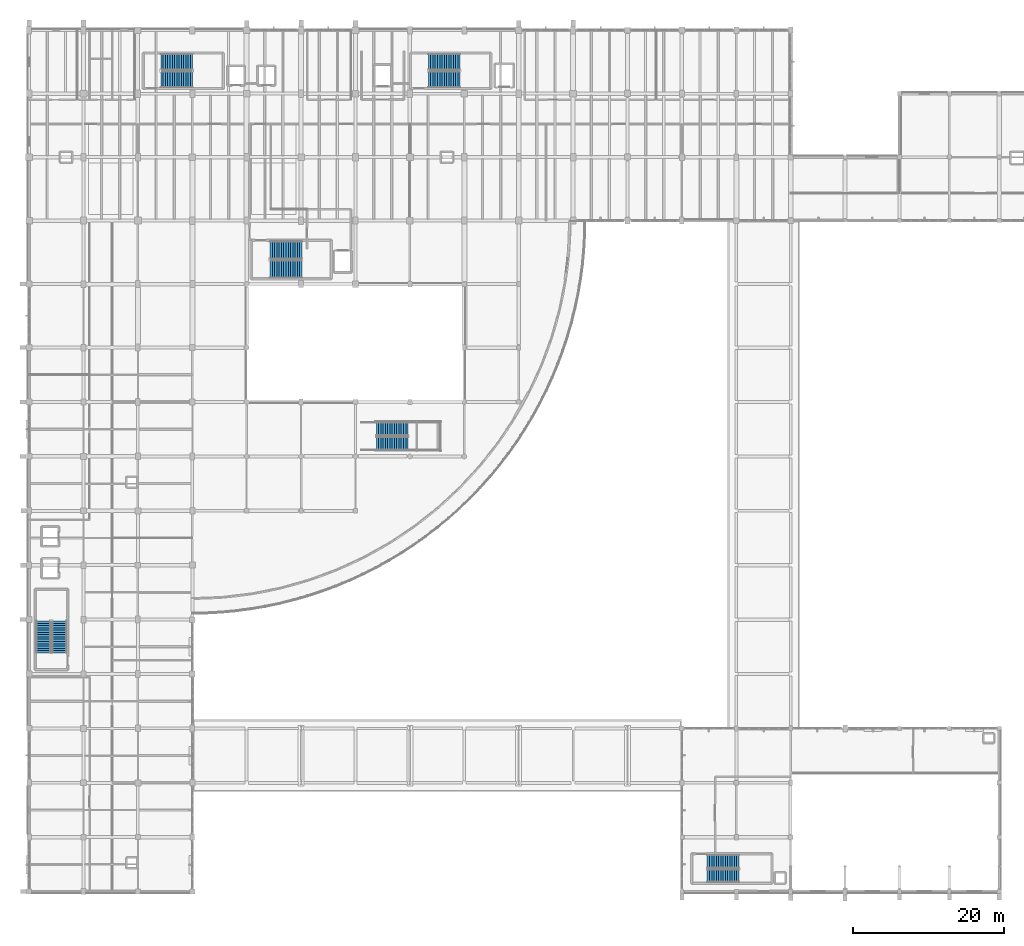
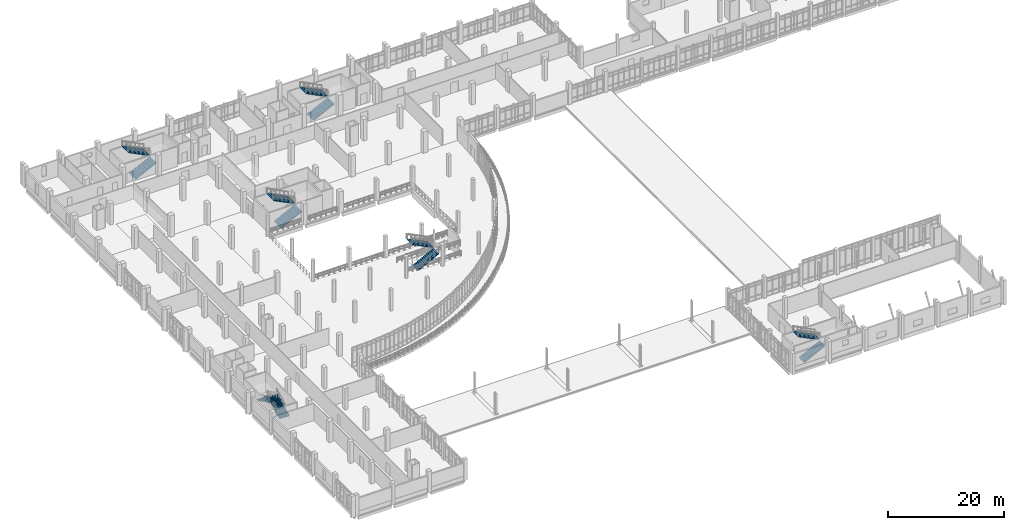
# One storey, part 121 of 134: 12 stair flights, 6 elements without a shape of their own.
"""IFC4 building model written with IfcOpenShell, lengths in metres."""

from ifc_helpers import new_model, si_unit, direction, frame, origin, place, context, subcontext, project, spatial, polyline, outline, extrude, material, type_object, element, aggregate, save


model = new_model("IFC4")

# Units and contexts
model_context = context("Model", 3, precision=1e-05, world=origin(), true_north=direction((0.0, 1.0)))
body_context = subcontext(model_context, "Body", "Model", "MODEL_VIEW")
ifc_project = project(units=[si_unit("LENGTHUNIT", "METRE"), si_unit("AREAUNIT", "SQUARE_METRE"), si_unit("VOLUMEUNIT", "CUBIC_METRE"), si_unit("PLANEANGLEUNIT", "RADIAN"), si_unit("MASSUNIT", "GRAM", prefix="KILO")], contexts=[model_context])

# Site, building, storey
site_placement = place(None, origin())
site = spatial("IfcSite", under=ifc_project, at=site_placement, CompositionType="ELEMENT")
building_placement = place(site_placement, origin())
building = spatial("IfcBuilding", under=site, at=building_placement, Name="Kalluvel Institute of Natural Sciences", CompositionType="ELEMENT")
storey_placement = place(building_placement, frame((0.0, 0.0, 5.39990234375)))
storey = spatial("IfcBuildingStorey", under=building, at=storey_placement, Name="L01", CompositionType="ELEMENT", Elevation=5.39990234375)

# Stair, stair flights
ifc_material = material(Name="Concrete M40", Category="concrete")
stair_type_1 = type_object("IfcStairType", Name="STR-ST12-45", PredefinedType="HALF_TURN_STAIR", material=ifc_material)
stair_1_placement = place(storey_placement, origin())
stair_1 = element("IfcStair", 1, at=stair_1_placement, inside=storey, type_object=stair_type_1, Name="L01 Wet Wing West Protected Exit Stair ST1", PredefinedType="HALF_TURN_STAIR")
stair_flight_type_1 = type_object("IfcStairFlightType", Name="STF-ST12-45", PredefinedType="STRAIGHT", material=ifc_material)
stair_flight_1_placement = place(storey_placement, frame((31.449951171875, 121.47998046875, 0.0), z_axis=(0.0, 0.0, 1.0), x_axis=(1.0, 0.0, 0.0)))
stair_flight_1 = element("IfcStairFlight", 2, at=stair_flight_1_placement, type_object=stair_flight_type_1, Name="S1-45 flight 1", NumberOfRisers=15, NumberOfTreads=14, PredefinedType="STRAIGHT", RiserHeight=0.15, TreadLength=0.3, context=body_context, shape_type="SweptSolid", body=[
    extrude(outline(polyline([(0.0, 0.0), (0.0, 0.14990234375), (0.300048828125, 0.14990234375), (0.300048828125, 0.300048828125), (0.60009765625, 0.300048828125), (0.60009765625, 0.449951171875), (0.89990234375, 0.449951171875), (0.89990234375, 0.60009765625), (1.199951171875, 0.60009765625), (1.199951171875, 0.75), (1.5, 0.75), (1.5, 0.89990234375), (1.800048828125, 0.89990234375), (1.800048828125, 1.050048828125), (2.10009765625, 1.050048828125), (2.10009765625, 1.199951171875), (2.39990234375, 1.199951171875), (2.39990234375, 1.35009765625), (2.699951171875, 1.35009765625), (2.699951171875, 1.5), (3.0, 1.5), (3.0, 1.64990234375), (3.300048828125, 1.64990234375), (3.300048828125, 1.800048828125), (3.60009765625, 1.800048828125), (3.60009765625, 1.949951171875), (3.89990234375, 1.949951171875), (3.89990234375, 2.10009765625), (4.199951171875, 2.10009765625), (4.199951171875, 2.25), (4.199951171875, 1.932373046875), (0.335205078125, 0.0), (0.0, 0.0)])), frame((0.0, 1.080078125, 0.0), z_axis=(0.0, -1.0, 0.0), x_axis=(1.0, 0.0, 0.0)), (0.0, 0.0, 1.0), 2.159912109375),
])
stair_flight_2_placement = place(storey_placement, frame((35.64990234375, 123.7900390625, 2.25), z_axis=(0.0, 0.0, 1.0), x_axis=(-1.0, 0.0, 0.0)))
stair_flight_2 = element("IfcStairFlight", 3, at=stair_flight_2_placement, type_object=stair_flight_type_1, Name="S1-45 flight 2", NumberOfRisers=15, NumberOfTreads=14, PredefinedType="STRAIGHT", RiserHeight=0.15, TreadLength=0.3, context=body_context, shape_type="SweptSolid", body=[
    extrude(outline(polyline([(0.0, 0.0), (0.0, 0.14990234375), (0.300048828125, 0.14990234375), (0.300048828125, 0.300048828125), (0.60009765625, 0.300048828125), (0.60009765625, 0.449951171875), (0.89990234375, 0.449951171875), (0.89990234375, 0.60009765625), (1.199951171875, 0.60009765625), (1.199951171875, 0.75), (1.5, 0.75), (1.5, 0.89990234375), (1.800048828125, 0.89990234375), (1.800048828125, 1.050048828125), (2.10009765625, 1.050048828125), (2.10009765625, 1.199951171875), (2.39990234375, 1.199951171875), (2.39990234375, 1.35009765625), (2.699951171875, 1.35009765625), (2.699951171875, 1.5), (3.0, 1.5), (3.0, 1.64990234375), (3.300048828125, 1.64990234375), (3.300048828125, 1.800048828125), (3.60009765625, 1.800048828125), (3.60009765625, 1.949951171875), (3.89990234375, 1.949951171875), (3.89990234375, 2.10009765625), (4.199951171875, 2.10009765625), (4.199951171875, 2.25), (4.199951171875, 1.932373046875), (0.335205078125, 0.0), (0.0, 0.0)])), frame((0.0, 1.080078125, 0.0), z_axis=(0.0, -1.0, 0.0), x_axis=(1.0, 0.0, 0.0)), (0.0, 0.0, 1.0), 2.159912109375),
])
aggregate(stair_1, [stair_flight_1, stair_flight_2])

stair_2_placement = place(storey_placement, origin())
stair_2 = element("IfcStair", 4, at=stair_2_placement, inside=storey, type_object=stair_type_1, Name="L01 Wet Wing East Protected Exit Stair ST2", PredefinedType="HALF_TURN_STAIR")
stair_flight_3_placement = place(storey_placement, frame((66.85009765625, 121.47998046875, 0.0), z_axis=(0.0, 0.0, 1.0), x_axis=(1.0, 0.0, 0.0)))
stair_flight_3 = element("IfcStairFlight", 5, at=stair_flight_3_placement, type_object=stair_flight_type_1, Name="S1-45 flight 1", NumberOfRisers=15, NumberOfTreads=14, PredefinedType="STRAIGHT", RiserHeight=0.15, TreadLength=0.3, context=body_context, shape_type="SweptSolid", body=[
    extrude(outline(polyline([(0.0, 0.0), (0.0, 0.14990234375), (0.300048828125, 0.14990234375), (0.300048828125, 0.300048828125), (0.60009765625, 0.300048828125), (0.60009765625, 0.449951171875), (0.89990234375, 0.449951171875), (0.89990234375, 0.60009765625), (1.199951171875, 0.60009765625), (1.199951171875, 0.75), (1.5, 0.75), (1.5, 0.89990234375), (1.800048828125, 0.89990234375), (1.800048828125, 1.050048828125), (2.10009765625, 1.050048828125), (2.10009765625, 1.199951171875), (2.39990234375, 1.199951171875), (2.39990234375, 1.35009765625), (2.699951171875, 1.35009765625), (2.699951171875, 1.5), (3.0, 1.5), (3.0, 1.64990234375), (3.300048828125, 1.64990234375), (3.300048828125, 1.800048828125), (3.60009765625, 1.800048828125), (3.60009765625, 1.949951171875), (3.89990234375, 1.949951171875), (3.89990234375, 2.10009765625), (4.199951171875, 2.10009765625), (4.199951171875, 2.25), (4.199951171875, 1.932373046875), (0.335205078125, 0.0), (0.0, 0.0)])), frame((0.0, 1.080078125, 0.0), z_axis=(0.0, -1.0, 0.0), x_axis=(1.0, 0.0, 0.0)), (0.0, 0.0, 1.0), 2.159912109375),
])
stair_flight_4_placement = place(storey_placement, frame((71.050048828125, 123.7900390625, 2.25), z_axis=(0.0, 0.0, 1.0), x_axis=(-1.0, 0.0, 0.0)))
stair_flight_4 = element("IfcStairFlight", 6, at=stair_flight_4_placement, type_object=stair_flight_type_1, Name="S1-45 flight 2", NumberOfRisers=15, NumberOfTreads=14, PredefinedType="STRAIGHT", RiserHeight=0.15, TreadLength=0.3, context=body_context, shape_type="SweptSolid", body=[
    extrude(outline(polyline([(0.0, 0.0), (0.0, 0.14990234375), (0.300048828125, 0.14990234375), (0.300048828125, 0.300048828125), (0.60009765625, 0.300048828125), (0.60009765625, 0.449951171875), (0.89990234375, 0.449951171875), (0.89990234375, 0.60009765625), (1.199951171875, 0.60009765625), (1.199951171875, 0.75), (1.5, 0.75), (1.5, 0.89990234375), (1.800048828125, 0.89990234375), (1.800048828125, 1.050048828125), (2.10009765625, 1.050048828125), (2.10009765625, 1.199951171875), (2.39990234375, 1.199951171875), (2.39990234375, 1.35009765625), (2.699951171875, 1.35009765625), (2.699951171875, 1.5), (3.0, 1.5), (3.0, 1.64990234375), (3.300048828125, 1.64990234375), (3.300048828125, 1.800048828125), (3.60009765625, 1.800048828125), (3.60009765625, 1.949951171875), (3.89990234375, 1.949951171875), (3.89990234375, 2.10009765625), (4.199951171875, 2.10009765625), (4.199951171875, 2.25), (4.199951171875, 1.932373046875), (0.335205078125, 0.0), (0.0, 0.0)])), frame((0.0, 1.080078125, 0.0), z_axis=(0.0, -1.0, 0.0), x_axis=(1.0, 0.0, 0.0)), (0.0, 0.0, 1.0), 2.159912109375),
])
aggregate(stair_2, [stair_flight_3, stair_flight_4])

stair_type_2 = type_object("IfcStairType", Name="STR-ST3-45", PredefinedType="HALF_TURN_STAIR", material=ifc_material)
stair_3_placement = place(storey_placement, origin())
stair_3 = element("IfcStair", 7, at=stair_3_placement, inside=storey, type_object=stair_type_2, Name="L01 Central Fire-Tower Protected Stair ST3", PredefinedType="HALF_TURN_STAIR")
stair_flight_type_2 = type_object("IfcStairFlightType", Name="STF-ST3-45", PredefinedType="STRAIGHT", material=ifc_material)
stair_flight_5_placement = place(storey_placement, frame((45.89990234375, 96.3798828125, 0.0), z_axis=(0.0, 0.0, 1.0), x_axis=(1.0, 0.0, 0.0)))
stair_flight_5 = element("IfcStairFlight", 8, at=stair_flight_5_placement, type_object=stair_flight_type_2, Name="S3-45 flight 1", NumberOfRisers=15, NumberOfTreads=14, PredefinedType="STRAIGHT", RiserHeight=0.15, TreadLength=0.3, context=body_context, shape_type="SweptSolid", body=[
    extrude(outline(polyline([(0.0, 0.0), (0.0, 0.14990234375), (0.300048828125, 0.14990234375), (0.300048828125, 0.300048828125), (0.60009765625, 0.300048828125), (0.60009765625, 0.449951171875), (0.89990234375, 0.449951171875), (0.89990234375, 0.60009765625), (1.199951171875, 0.60009765625), (1.199951171875, 0.75), (1.5, 0.75), (1.5, 0.89990234375), (1.800048828125, 0.89990234375), (1.800048828125, 1.050048828125), (2.10009765625, 1.050048828125), (2.10009765625, 1.199951171875), (2.39990234375, 1.199951171875), (2.39990234375, 1.35009765625), (2.699951171875, 1.35009765625), (2.699951171875, 1.5), (3.0, 1.5), (3.0, 1.64990234375), (3.300048828125, 1.64990234375), (3.300048828125, 1.800048828125), (3.60009765625, 1.800048828125), (3.60009765625, 1.949951171875), (3.89990234375, 1.949951171875), (3.89990234375, 2.10009765625), (4.199951171875, 2.10009765625), (4.199951171875, 2.25), (4.199951171875, 1.932373046875), (0.335205078125, 0.0), (0.0, 0.0)])), frame((0.0, 1.18017578125, 0.0), z_axis=(0.0, -1.0, 0.0), x_axis=(1.0, 0.0, 0.0)), (0.0, 0.0, 1.0), 2.360107421875),
])
stair_flight_6_placement = place(storey_placement, frame((50.10009765625, 98.889892578125, 2.25), z_axis=(0.0, 0.0, 1.0), x_axis=(-1.0, 0.0, 0.0)))
stair_flight_6 = element("IfcStairFlight", 9, at=stair_flight_6_placement, type_object=stair_flight_type_2, Name="S3-45 flight 2", NumberOfRisers=15, NumberOfTreads=14, PredefinedType="STRAIGHT", RiserHeight=0.15, TreadLength=0.3, context=body_context, shape_type="SweptSolid", body=[
    extrude(outline(polyline([(0.0, 0.0), (0.0, 0.14990234375), (0.300048828125, 0.14990234375), (0.300048828125, 0.300048828125), (0.60009765625, 0.300048828125), (0.60009765625, 0.449951171875), (0.89990234375, 0.449951171875), (0.89990234375, 0.60009765625), (1.199951171875, 0.60009765625), (1.199951171875, 0.75), (1.5, 0.75), (1.5, 0.89990234375), (1.800048828125, 0.89990234375), (1.800048828125, 1.050048828125), (2.10009765625, 1.050048828125), (2.10009765625, 1.199951171875), (2.39990234375, 1.199951171875), (2.39990234375, 1.35009765625), (2.699951171875, 1.35009765625), (2.699951171875, 1.5), (3.0, 1.5), (3.0, 1.64990234375), (3.300048828125, 1.64990234375), (3.300048828125, 1.800048828125), (3.60009765625, 1.800048828125), (3.60009765625, 1.949951171875), (3.89990234375, 1.949951171875), (3.89990234375, 2.10009765625), (4.199951171875, 2.10009765625), (4.199951171875, 2.25), (4.199951171875, 1.932373046875), (0.335205078125, 0.0), (0.0, 0.0)])), frame((0.0, 1.18017578125, 0.0), z_axis=(0.0, -1.0, 0.0), x_axis=(1.0, 0.0, 0.0)), (0.0, 0.0, 1.0), 2.360107421875),
])
aggregate(stair_3, [stair_flight_5, stair_flight_6])

stair_type_3 = type_object("IfcStairType", Name="STR-ST4-45", PredefinedType="HALF_TURN_STAIR", material=ifc_material)
stair_4_placement = place(storey_placement, origin())
stair_4 = element("IfcStair", 10, at=stair_4_placement, inside=storey, type_object=stair_type_3, Name="L01 Dry Wing Protected Exit Stair ST4", PredefinedType="HALF_TURN_STAIR")
stair_flight_type_3 = type_object("IfcStairFlightType", Name="STF-ST4-45", PredefinedType="STRAIGHT", material=ifc_material)
stair_flight_7_placement = place(storey_placement, frame((18.02001953125, 45.60009765625, 0.0), z_axis=(0.0, 0.0, 1.0), x_axis=(0.0, 1.0, 0.0)))
stair_flight_7 = element("IfcStairFlight", 11, at=stair_flight_7_placement, type_object=stair_flight_type_3, Name="S4-45 flight 1", NumberOfRisers=15, NumberOfTreads=14, PredefinedType="STRAIGHT", RiserHeight=0.15, TreadLength=0.3, context=body_context, shape_type="SweptSolid", body=[
    extrude(outline(polyline([(0.0, 0.0), (0.0, 0.14990234375), (0.300048828125, 0.14990234375), (0.300048828125, 0.300048828125), (0.60009765625, 0.300048828125), (0.60009765625, 0.449951171875), (0.89990234375, 0.449951171875), (0.89990234375, 0.60009765625), (1.199951171875, 0.60009765625), (1.199951171875, 0.75), (1.5, 0.75), (1.5, 0.89990234375), (1.800048828125, 0.89990234375), (1.800048828125, 1.050048828125), (2.10009765625, 1.050048828125), (2.10009765625, 1.199951171875), (2.39990234375, 1.199951171875), (2.39990234375, 1.35009765625), (2.699951171875, 1.35009765625), (2.699951171875, 1.5), (3.0, 1.5), (3.0, 1.64990234375), (3.300048828125, 1.64990234375), (3.300048828125, 1.800048828125), (3.60009765625, 1.800048828125), (3.60009765625, 1.949951171875), (3.89990234375, 1.949951171875), (3.89990234375, 2.10009765625), (4.199951171875, 2.10009765625), (4.199951171875, 2.25), (4.199951171875, 1.932373046875), (0.335205078125, 0.0), (0.0, 0.0)])), frame((0.0, 0.97998046875, 0.0), z_axis=(0.0, -1.0, 0.0), x_axis=(1.0, 0.0, 0.0)), (0.0, 0.0, 1.0), 1.9599609375),
])
stair_flight_8_placement = place(storey_placement, frame((15.909912109375, 49.800048828125, 2.25), z_axis=(0.0, 0.0, 1.0), x_axis=(0.0, -1.0, 0.0)))
stair_flight_8 = element("IfcStairFlight", 12, at=stair_flight_8_placement, type_object=stair_flight_type_3, Name="S4-45 flight 2", NumberOfRisers=15, NumberOfTreads=14, PredefinedType="STRAIGHT", RiserHeight=0.15, TreadLength=0.3, context=body_context, shape_type="SweptSolid", body=[
    extrude(outline(polyline([(0.0, 0.0), (0.0, 0.14990234375), (0.300048828125, 0.14990234375), (0.300048828125, 0.300048828125), (0.60009765625, 0.300048828125), (0.60009765625, 0.449951171875), (0.89990234375, 0.449951171875), (0.89990234375, 0.60009765625), (1.199951171875, 0.60009765625), (1.199951171875, 0.75), (1.5, 0.75), (1.5, 0.89990234375), (1.800048828125, 0.89990234375), (1.800048828125, 1.050048828125), (2.10009765625, 1.050048828125), (2.10009765625, 1.199951171875), (2.39990234375, 1.199951171875), (2.39990234375, 1.35009765625), (2.699951171875, 1.35009765625), (2.699951171875, 1.5), (3.0, 1.5), (3.0, 1.64990234375), (3.300048828125, 1.64990234375), (3.300048828125, 1.800048828125), (3.60009765625, 1.800048828125), (3.60009765625, 1.949951171875), (3.89990234375, 1.949951171875), (3.89990234375, 2.10009765625), (4.199951171875, 2.10009765625), (4.199951171875, 2.25), (4.199951171875, 1.932373046875), (0.335205078125, 0.0), (0.0, 0.0)])), frame((0.0, 0.97998046875, 0.0), z_axis=(0.0, -1.0, 0.0), x_axis=(1.0, 0.0, 0.0)), (0.0, 0.0, 1.0), 1.9599609375),
])
aggregate(stair_4, [stair_flight_7, stair_flight_8])

stair_type_4 = type_object("IfcStairType", Name="STR-ST5-45", PredefinedType="HALF_TURN_STAIR", material=ifc_material)
stair_5_placement = place(storey_placement, origin())
stair_5 = element("IfcStair", 13, at=stair_5_placement, inside=storey, type_object=stair_type_4, Name="L01 East Commons and Lecture Hub Protected Exit Stair ST7", PredefinedType="HALF_TURN_STAIR")
stair_flight_type_4 = type_object("IfcStairFlightType", Name="STF-ST5-45", PredefinedType="STRAIGHT", material=ifc_material)
stair_flight_9_placement = place(storey_placement, frame((103.75, 16.080078125, 0.0), z_axis=(0.0, 0.0, 1.0), x_axis=(1.0, 0.0, 0.0)))
stair_flight_9 = element("IfcStairFlight", 14, at=stair_flight_9_placement, type_object=stair_flight_type_4, Name="S5-45 flight 1", NumberOfRisers=15, NumberOfTreads=14, PredefinedType="STRAIGHT", RiserHeight=0.15, TreadLength=0.3, context=body_context, shape_type="SweptSolid", body=[
    extrude(outline(polyline([(0.0, 0.0), (0.0, 0.14990234375), (0.300048828125, 0.14990234375), (0.300048828125, 0.300048828125), (0.60009765625, 0.300048828125), (0.60009765625, 0.449951171875), (0.89990234375, 0.449951171875), (0.89990234375, 0.60009765625), (1.199951171875, 0.60009765625), (1.199951171875, 0.75), (1.5, 0.75), (1.5, 0.89990234375), (1.800048828125, 0.89990234375), (1.800048828125, 1.050048828125), (2.10009765625, 1.050048828125), (2.10009765625, 1.199951171875), (2.39990234375, 1.199951171875), (2.39990234375, 1.35009765625), (2.699951171875, 1.35009765625), (2.699951171875, 1.5), (3.0, 1.5), (3.0, 1.64990234375), (3.300048828125, 1.64990234375), (3.300048828125, 1.800048828125), (3.60009765625, 1.800048828125), (3.60009765625, 1.949951171875), (3.89990234375, 1.949951171875), (3.89990234375, 2.10009765625), (4.199951171875, 2.10009765625), (4.199951171875, 2.25), (4.199951171875, 1.932373046875), (0.335205078125, 0.0), (0.0, 0.0)])), frame((0.0, 0.8798828125, 0.0), z_axis=(0.0, -1.0, 0.0), x_axis=(1.0, 0.0, 0.0)), (0.0, 0.0, 1.0), 1.760009765625),
])
stair_flight_10_placement = place(storey_placement, frame((107.949951171875, 17.989990234375, 2.25), z_axis=(0.0, 0.0, 1.0), x_axis=(-1.0, 0.0, 0.0)))
stair_flight_10 = element("IfcStairFlight", 15, at=stair_flight_10_placement, type_object=stair_flight_type_4, Name="S5-45 flight 2", NumberOfRisers=15, NumberOfTreads=14, PredefinedType="STRAIGHT", RiserHeight=0.15, TreadLength=0.3, context=body_context, shape_type="SweptSolid", body=[
    extrude(outline(polyline([(0.0, 0.0), (0.0, 0.14990234375), (0.300048828125, 0.14990234375), (0.300048828125, 0.300048828125), (0.60009765625, 0.300048828125), (0.60009765625, 0.449951171875), (0.89990234375, 0.449951171875), (0.89990234375, 0.60009765625), (1.199951171875, 0.60009765625), (1.199951171875, 0.75), (1.5, 0.75), (1.5, 0.89990234375), (1.800048828125, 0.89990234375), (1.800048828125, 1.050048828125), (2.10009765625, 1.050048828125), (2.10009765625, 1.199951171875), (2.39990234375, 1.199951171875), (2.39990234375, 1.35009765625), (2.699951171875, 1.35009765625), (2.699951171875, 1.5), (3.0, 1.5), (3.0, 1.64990234375), (3.300048828125, 1.64990234375), (3.300048828125, 1.800048828125), (3.60009765625, 1.800048828125), (3.60009765625, 1.949951171875), (3.89990234375, 1.949951171875), (3.89990234375, 2.10009765625), (4.199951171875, 2.10009765625), (4.199951171875, 2.25), (4.199951171875, 1.932373046875), (0.335205078125, 0.0), (0.0, 0.0)])), frame((0.0, 0.8798828125, 0.0), z_axis=(0.0, -1.0, 0.0), x_axis=(1.0, 0.0, 0.0)), (0.0, 0.0, 1.0), 1.760009765625),
])
aggregate(stair_5, [stair_flight_9, stair_flight_10])

stair_type_5 = type_object("IfcStairType", Name="STR-ST6-45", PredefinedType="HALF_TURN_STAIR", material=ifc_material)
stair_6_placement = place(storey_placement, origin())
stair_6 = element("IfcStair", 16, at=stair_6_placement, inside=storey, type_object=stair_type_5, Name="L01 Interaction Atrium Feature Stair ST6", PredefinedType="HALF_TURN_STAIR")
stair_flight_type_5 = type_object("IfcStairFlightType", Name="STF-ST6-45", PredefinedType="STRAIGHT", material=ifc_material)
stair_flight_11_placement = place(storey_placement, frame((59.949951171875, 73.300048828125, 0.0), z_axis=(0.0, 0.0, 1.0), x_axis=(1.0, 0.0, 0.0)))
stair_flight_11 = element("IfcStairFlight", 17, at=stair_flight_11_placement, type_object=stair_flight_type_5, Name="S6-45 flight 1", NumberOfRisers=15, NumberOfTreads=14, PredefinedType="STRAIGHT", RiserHeight=0.15, TreadLength=0.3, context=body_context, shape_type="SweptSolid", body=[
    extrude(outline(polyline([(0.0, 0.0), (0.0, 0.14990234375), (0.300048828125, 0.14990234375), (0.300048828125, 0.300048828125), (0.60009765625, 0.300048828125), (0.60009765625, 0.449951171875), (0.89990234375, 0.449951171875), (0.89990234375, 0.60009765625), (1.199951171875, 0.60009765625), (1.199951171875, 0.75), (1.5, 0.75), (1.5, 0.89990234375), (1.800048828125, 0.89990234375), (1.800048828125, 1.050048828125), (2.10009765625, 1.050048828125), (2.10009765625, 1.199951171875), (2.39990234375, 1.199951171875), (2.39990234375, 1.35009765625), (2.699951171875, 1.35009765625), (2.699951171875, 1.5), (3.0, 1.5), (3.0, 1.64990234375), (3.300048828125, 1.64990234375), (3.300048828125, 1.800048828125), (3.60009765625, 1.800048828125), (3.60009765625, 1.949951171875), (3.89990234375, 1.949951171875), (3.89990234375, 2.10009765625), (4.199951171875, 2.10009765625), (4.199951171875, 2.25), (4.199951171875, 1.932373046875), (0.335205078125, 0.0), (0.0, 0.0)])), frame((0.0, 0.89990234375, 0.0), z_axis=(0.0, -1.0, 0.0), x_axis=(1.0, 0.0, 0.0)), (0.0, 0.0, 1.0), 1.800048828125),
])
stair_flight_12_placement = place(storey_placement, frame((64.14990234375, 75.25, 2.25), z_axis=(0.0, 0.0, 1.0), x_axis=(-1.0, 0.0, 0.0)))
stair_flight_12 = element("IfcStairFlight", 18, at=stair_flight_12_placement, type_object=stair_flight_type_5, Name="S6-45 flight 2", NumberOfRisers=15, NumberOfTreads=14, PredefinedType="STRAIGHT", RiserHeight=0.15, TreadLength=0.3, context=body_context, shape_type="SweptSolid", body=[
    extrude(outline(polyline([(0.0, 0.0), (0.0, 0.14990234375), (0.300048828125, 0.14990234375), (0.300048828125, 0.300048828125), (0.60009765625, 0.300048828125), (0.60009765625, 0.449951171875), (0.89990234375, 0.449951171875), (0.89990234375, 0.60009765625), (1.199951171875, 0.60009765625), (1.199951171875, 0.75), (1.5, 0.75), (1.5, 0.89990234375), (1.800048828125, 0.89990234375), (1.800048828125, 1.050048828125), (2.10009765625, 1.050048828125), (2.10009765625, 1.199951171875), (2.39990234375, 1.199951171875), (2.39990234375, 1.35009765625), (2.699951171875, 1.35009765625), (2.699951171875, 1.5), (3.0, 1.5), (3.0, 1.64990234375), (3.300048828125, 1.64990234375), (3.300048828125, 1.800048828125), (3.60009765625, 1.800048828125), (3.60009765625, 1.949951171875), (3.89990234375, 1.949951171875), (3.89990234375, 2.10009765625), (4.199951171875, 2.10009765625), (4.199951171875, 2.25), (4.199951171875, 1.932373046875), (0.335205078125, 0.0), (0.0, 0.0)])), frame((0.0, 0.89990234375, 0.0), z_axis=(0.0, -1.0, 0.0), x_axis=(1.0, 0.0, 0.0)), (0.0, 0.0, 1.0), 1.800048828125),
])
aggregate(stair_6, [stair_flight_11, stair_flight_12])

save(model, "model.ifc")
